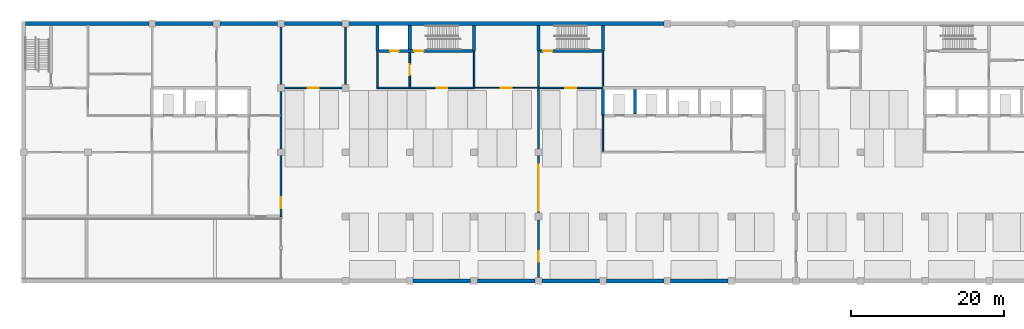
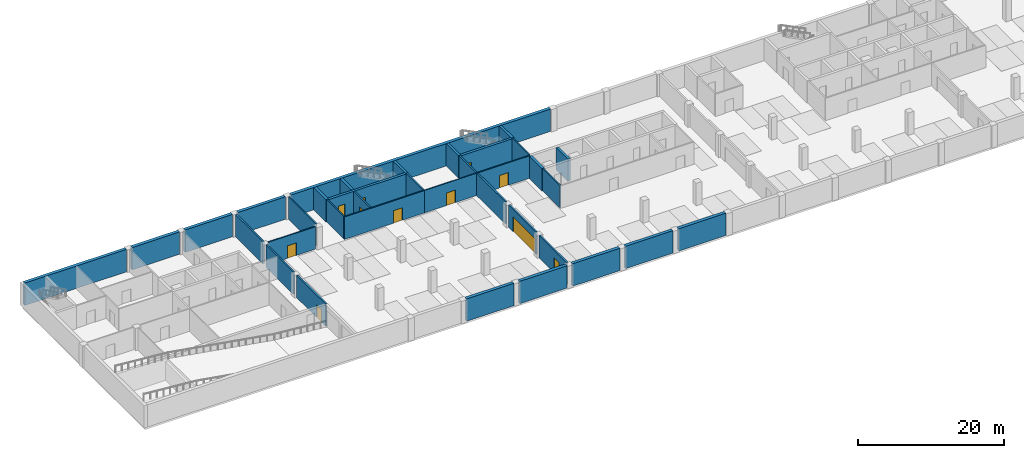
# One storey, part 3 of 14: 36 walls, 11 doors, 11 openings.
"""IFC4 building model written with IfcOpenShell, lengths in metres."""

from ifc_helpers import new_model, si_unit, direction, frame, frame_2d, origin, place, context, subcontext, project, spatial, rectangle, extrude, material, layer, layer_set, type_object, element, fill, save


model = new_model("IFC4")

# Units and contexts
model_context = context("Model", 3, precision=1e-05, world=origin(), true_north=direction((0.0, 1.0)))
body_context = subcontext(model_context, "Body", "Model", "MODEL_VIEW")
ifc_project = project(units=[si_unit("LENGTHUNIT", "METRE"), si_unit("AREAUNIT", "SQUARE_METRE"), si_unit("VOLUMEUNIT", "CUBIC_METRE"), si_unit("PLANEANGLEUNIT", "RADIAN"), si_unit("MASSUNIT", "GRAM", prefix="KILO")], contexts=[model_context])

# Site, building, storey
site_placement = place(None, origin())
site = spatial("IfcSite", under=ifc_project, at=site_placement, CompositionType="ELEMENT")
building_placement = place(site_placement, origin())
building = spatial("IfcBuilding", under=site, at=building_placement, Name="Yavir Park General Hospital", CompositionType="ELEMENT")
storey_placement = place(building_placement, frame((0.0, 0.0, -4.199951171875)))
storey = spatial("IfcBuildingStorey", under=building, at=storey_placement, Name="B1", CompositionType="ELEMENT", Elevation=-4.199951171875)

# Wall, opening, door
ifc_material_1 = material(Name="Concrete C30/37", Category="concrete")
ifc_layer_1 = layer(ifc_material_1, 0.25)
ifc_layer_set_1 = layer_set([ifc_layer_1], Name="Concrete C30/37")
wall_type_1 = type_object("IfcWallType", Name="Compartment fire wall 250, REI 150", PredefinedType="SOLIDWALL", material=ifc_layer_set_1)
wall_1_placement = place(storey_placement, frame((33.60009765625, 8.39990234375, 0.0), z_axis=(0.0, 0.0, 1.0), x_axis=(0.0, 1.0, 0.0)))
wall_1 = element("IfcWall", 1, at=wall_1_placement, inside=storey, type_object=wall_type_1, Name="FW25 B1-047", PredefinedType="SOLIDWALL", context=body_context, shape_type="SweptSolid", body=[
    extrude(rectangle(XDim=7.9501953125, YDim=0.25, at=frame_2d((3.97509765625, 0.0))), origin(), (0.0, 0.0, 1.0), 3.75),
])
opening_1_placement = place(wall_1_placement, frame((1.10009765625, 0.0, 0.0)))
opening_1 = element("IfcOpeningElement", 2, at=opening_1_placement, cuts=wall_1, Name="Opening B1.D048", PredefinedType="OPENING", context=body_context, shape_type="SweptSolid", body=[
    extrude(rectangle(XDim=1.39990234375, YDim=2.10009765625, at=frame_2d((0.699951171875, 1.050048828125))), frame((0.0, 0.135009765625, 0.0), z_axis=(0.0, -1.0, 0.0), x_axis=(1.0, 0.0, 0.0)), (0.0, 0.0, 1.0), 0.27001953125),
])
ifc_material_2 = material(Name="Steel frame, fire-resisting timber leaves", Category="steel")
door_type_1 = type_object("IfcDoorType", Name="Double fire door 1400 x 2100, EI 60", OperationType="DOUBLE_DOOR_SINGLE_SWING", PredefinedType="DOOR", material=ifc_material_2)
door_1_placement = place(opening_1_placement, origin())
door_1 = element("IfcDoor", 3, at=door_1_placement, inside=storey, type_object=door_type_1, Name="B1.D048", OperationType="SINGLE_SWING_LEFT", OverallHeight=2.10009765625, OverallWidth=1.39990234375, PredefinedType="DOOR", context=body_context, shape_type="SweptSolid", body=[
    extrude(rectangle(XDim=1.39990234375, YDim=2.10009765625, at=frame_2d((0.699951171875, 1.050048828125))), frame((0.0, 0.02490234375, 0.0), z_axis=(0.0, -1.0, 0.0), x_axis=(1.0, 0.0, 0.0)), (0.0, 0.0, 1.0), 0.050048828125),
])
fill(opening_1, door_1)

# Walls
for number, where, z_axis, x_axis, name in (
    (4, (33.60009765625, 17.25, 0.0), (0.0, 0.0, 1.0), (0.0, 1.0, 0.0), "FW25 B1-048"),
    (5, (33.60009765625, 25.64990234375, 0.0), (0.0, 0.0, 1.0), (0.0, 1.0, 0.0), "FW25 B1-049"),
):
    element("IfcWall", number, at=place(storey_placement, frame(where, z_axis=z_axis, x_axis=x_axis)), inside=storey, type_object=wall_type_1, Name=name, PredefinedType="SOLIDWALL", context=body_context, shape_type="SweptSolid", body=[
        extrude(rectangle(XDim=7.5, YDim=0.25, at=frame_2d((3.75, 0.0))), origin(), (0.0, 0.0, 1.0), 3.75),
    ])

# Wall, opening, door
wall_2_placement = place(storey_placement, frame((67.199951171875, 0.449951171875, 0.0), z_axis=(0.0, 0.0, 1.0), x_axis=(0.0, 1.0, 0.0)))
wall_2 = element("IfcWall", 6, at=wall_2_placement, inside=storey, type_object=wall_type_1, Name="FW25 B1-057", PredefinedType="SOLIDWALL", context=body_context, shape_type="SweptSolid", body=[
    extrude(rectangle(XDim=7.5, YDim=0.25, at=frame_2d((3.75, 0.0))), origin(), (0.0, 0.0, 1.0), 3.75),
])
opening_2_placement = place(wall_2_placement, frame((2.050048828125, 0.0, 0.0)))
opening_2 = element("IfcOpeningElement", 7, at=opening_2_placement, cuts=wall_2, Name="Opening B1.D050", PredefinedType="OPENING", context=body_context, shape_type="SweptSolid", body=[
    extrude(rectangle(XDim=1.39990234375, YDim=2.5, at=frame_2d((0.699951171875, 1.25))), frame((0.0, 0.135009765625, 0.0), z_axis=(0.0, -1.0, 0.0), x_axis=(1.0, 0.0, 0.0)), (0.0, 0.0, 1.0), 0.27001953125),
])
ifc_material_3 = material(Name="Steel frame, fire-resisting timber leaves", Category="steel")
door_type_2 = type_object("IfcDoorType", Name="Double fire door 1400 x 2500, EI 60", OperationType="DOUBLE_DOOR_SINGLE_SWING", PredefinedType="DOOR", material=ifc_material_3)
door_2_placement = place(opening_2_placement, origin())
door_2 = element("IfcDoor", 8, at=door_2_placement, inside=storey, type_object=door_type_2, Name="B1.D050", OperationType="SINGLE_SWING_RIGHT", OverallHeight=2.5, OverallWidth=1.39990234375, PredefinedType="DOOR", context=body_context, shape_type="SweptSolid", body=[
    extrude(rectangle(XDim=1.39990234375, YDim=2.5, at=frame_2d((0.699951171875, 1.25))), frame((0.0, 0.02490234375, 0.0), z_axis=(0.0, -1.0, 0.0), x_axis=(1.0, 0.0, 0.0)), (0.0, 0.0, 1.0), 0.050048828125),
])
fill(opening_2, door_2)

wall_3_placement = place(storey_placement, frame((67.199951171875, 8.85009765625, 0.0), z_axis=(0.0, 0.0, 1.0), x_axis=(0.0, 1.0, 0.0)))
wall_3 = element("IfcWall", 9, at=wall_3_placement, inside=storey, type_object=wall_type_1, Name="FW25 B1-058", PredefinedType="SOLIDWALL", context=body_context, shape_type="SweptSolid", body=[
    extrude(rectangle(XDim=7.5, YDim=0.25, at=frame_2d((3.75, 0.0))), origin(), (0.0, 0.0, 1.0), 3.75),
])
opening_3_placement = place(wall_3_placement, frame((0.300048828125, 0.0, 0.0)))
opening_3 = element("IfcOpeningElement", 10, at=opening_3_placement, cuts=wall_3, Name="Opening B1.D051", PredefinedType="OPENING", context=body_context, shape_type="SweptSolid", body=[
    extrude(rectangle(XDim=6.0, YDim=2.5, at=frame_2d((3.0, 1.25))), frame((0.0, 0.135009765625, 0.0), z_axis=(0.0, -1.0, 0.0), x_axis=(1.0, 0.0, 0.0)), (0.0, 0.0, 1.0), 0.27001953125),
])
ifc_material_4 = material(Name="Steel slat fire shutter", Category="steel")
door_type_3 = type_object("IfcDoorType", Name="Fire shutter, vehicle opening 6000 x 2500, EI 60", OperationType="ROLLINGUP", PredefinedType="GATE", material=ifc_material_4)
door_3_placement = place(opening_3_placement, origin())
door_3 = element("IfcDoor", 11, at=door_3_placement, inside=storey, type_object=door_type_3, Name="B1.D051", OperationType="ROLLINGUP", OverallHeight=2.5, OverallWidth=6.0, PredefinedType="GATE", context=body_context, shape_type="SweptSolid", body=[
    extrude(rectangle(XDim=6.0, YDim=2.5, at=frame_2d((3.0, 1.25))), frame((0.0, 0.02490234375, 0.0), z_axis=(0.0, -1.0, 0.0), x_axis=(1.0, 0.0, 0.0)), (0.0, 0.0, 1.0), 0.050048828125),
])
fill(opening_3, door_3)

# Walls
wall_4_placement = place(storey_placement, frame((67.199951171875, 17.25, 0.0), z_axis=(0.0, 0.0, 1.0), x_axis=(0.0, 1.0, 0.0)))
element("IfcWall", 12, at=wall_4_placement, inside=storey, type_object=wall_type_1, Name="FW25 B1-059", PredefinedType="SOLIDWALL", context=body_context, shape_type="SweptSolid", body=[
    extrude(rectangle(XDim=7.85009765625, YDim=0.25, at=frame_2d((3.925048828125, 0.0))), origin(), (0.0, 0.0, 1.0), 3.75),
])
wall_5_placement = place(storey_placement, frame((67.199951171875, 25.300048828125, 0.0), z_axis=(0.0, 0.0, 1.0), x_axis=(0.0, 1.0, 0.0)))
element("IfcWall", 13, at=wall_5_placement, inside=storey, type_object=wall_type_1, Name="FW25 B1-060", PredefinedType="SOLIDWALL", context=body_context, shape_type="SweptSolid", body=[
    extrude(rectangle(XDim=4.699951171875, YDim=0.25, at=frame_2d((2.35009765625, 0.0))), origin(), (0.0, 0.0, 1.0), 3.75),
])

# Wall, opening, door
ifc_material_5 = material(Name="Double gypsum board fire partition on steel studs", Category="steel")
ifc_layer_2 = layer(ifc_material_5, 0.199951171875)
ifc_layer_set_2 = layer_set([ifc_layer_2], Name="Double gypsum board fire partition on steel studs")
wall_type_2 = type_object("IfcWallType", Name="Fire-rated partition 200, EI 60", PredefinedType="PARTITIONING", material=ifc_layer_set_2)
wall_6_placement = place(storey_placement, frame((34.050048828125, 25.199951171875, 0.0), z_axis=(0.0, 0.0, 1.0), x_axis=(1.0, 0.0, 0.0)))
wall_6 = element("IfcWall", 14, at=wall_6_placement, inside=storey, type_object=wall_type_2, Name="FP20 B1-015", PredefinedType="PARTITIONING", context=body_context, shape_type="SweptSolid", body=[
    extrude(rectangle(XDim=7.5, YDim=0.199951171875, at=frame_2d((3.75, 0.0))), origin(), (0.0, 0.0, 1.0), 3.75),
])
opening_4_placement = place(wall_6_placement, frame((3.050048828125, 0.0, 0.0)))
opening_4 = element("IfcOpeningElement", 15, at=opening_4_placement, cuts=wall_6, Name="Opening B1.D024", PredefinedType="OPENING", context=body_context, shape_type="SweptSolid", body=[
    extrude(rectangle(XDim=1.39990234375, YDim=2.10009765625, at=frame_2d((0.699951171875, 1.050048828125))), frame((0.0, 0.10986328125, 0.0), z_axis=(0.0, -1.0, 0.0), x_axis=(1.0, 0.0, 0.0)), (0.0, 0.0, 1.0), 0.219970703125),
])
door_4_placement = place(opening_4_placement, origin())
door_4 = element("IfcDoor", 16, at=door_4_placement, inside=storey, type_object=door_type_1, Name="B1.D024", OperationType="SINGLE_SWING_RIGHT", OverallHeight=2.10009765625, OverallWidth=1.39990234375, PredefinedType="DOOR", context=body_context, shape_type="SweptSolid", body=[
    extrude(rectangle(XDim=1.39990234375, YDim=2.10009765625, at=frame_2d((0.699951171875, 1.050048828125))), frame((0.0, 0.02490234375, 0.0), z_axis=(0.0, -1.0, 0.0), x_axis=(1.0, 0.0, 0.0)), (0.0, 0.0, 1.0), 0.050048828125),
])
fill(opening_4, door_4)

wall_7_placement = place(storey_placement, frame((46.10009765625, 25.199951171875, 0.0), z_axis=(0.0, 0.0, 1.0), x_axis=(1.0, 0.0, 0.0)))
wall_7 = element("IfcWall", 17, at=wall_7_placement, inside=storey, type_object=wall_type_2, Name="FP20 B1-016", PredefinedType="PARTITIONING", context=body_context, shape_type="SweptSolid", body=[
    extrude(rectangle(XDim=12.699951171875, YDim=0.199951171875, at=frame_2d((6.35009765625, 0.0))), origin(), (0.0, 0.0, 1.0), 3.75),
])
opening_5_placement = place(wall_7_placement, frame((7.800048828125, 0.0, 0.0)))
opening_5 = element("IfcOpeningElement", 18, at=opening_5_placement, cuts=wall_7, Name="Opening B1.D025", PredefinedType="OPENING", context=body_context, shape_type="SweptSolid", body=[
    extrude(rectangle(XDim=1.39990234375, YDim=2.10009765625, at=frame_2d((0.699951171875, 1.050048828125))), frame((0.0, 0.10986328125, 0.0), z_axis=(0.0, -1.0, 0.0), x_axis=(1.0, 0.0, 0.0)), (0.0, 0.0, 1.0), 0.219970703125),
])
door_5_placement = place(opening_5_placement, origin())
door_5 = element("IfcDoor", 19, at=door_5_placement, inside=storey, type_object=door_type_1, Name="B1.D025", OperationType="SINGLE_SWING_LEFT", OverallHeight=2.10009765625, OverallWidth=1.39990234375, PredefinedType="DOOR", context=body_context, shape_type="SweptSolid", body=[
    extrude(rectangle(XDim=1.39990234375, YDim=2.10009765625, at=frame_2d((0.699951171875, 1.050048828125))), frame((0.0, 0.02490234375, 0.0), z_axis=(0.0, -1.0, 0.0), x_axis=(1.0, 0.0, 0.0)), (0.0, 0.0, 1.0), 0.050048828125),
])
fill(opening_5, door_5)

wall_8_placement = place(storey_placement, frame((67.199951171875, 25.199951171875, 0.0), z_axis=(0.0, 0.0, 1.0), x_axis=(1.0, 0.0, 0.0)))
wall_8 = element("IfcWall", 20, at=wall_8_placement, inside=storey, type_object=wall_type_2, Name="FP20 B1-018", PredefinedType="PARTITIONING", context=body_context, shape_type="SweptSolid", body=[
    extrude(rectangle(XDim=8.400146484375, YDim=0.199951171875, at=frame_2d((4.2001953125, 0.0))), origin(), (0.0, 0.0, 1.0), 3.75),
])
opening_6_placement = place(wall_8_placement, frame((3.5, 0.0, 0.0)))
opening_6 = element("IfcOpeningElement", 21, at=opening_6_placement, cuts=wall_8, Name="Opening B1.D027", PredefinedType="OPENING", context=body_context, shape_type="SweptSolid", body=[
    extrude(rectangle(XDim=1.39990234375, YDim=2.10009765625, at=frame_2d((0.699951171875, 1.050048828125))), frame((0.0, 0.10986328125, 0.0), z_axis=(0.0, -1.0, 0.0), x_axis=(1.0, 0.0, 0.0)), (0.0, 0.0, 1.0), 0.219970703125),
])
door_6_placement = place(opening_6_placement, origin())
door_6 = element("IfcDoor", 22, at=door_6_placement, inside=storey, type_object=door_type_1, Name="B1.D027", OperationType="SINGLE_SWING_LEFT", OverallHeight=2.10009765625, OverallWidth=1.39990234375, PredefinedType="DOOR", context=body_context, shape_type="SweptSolid", body=[
    extrude(rectangle(XDim=1.39990234375, YDim=2.10009765625, at=frame_2d((0.699951171875, 1.050048828125))), frame((0.0, 0.02490234375, 0.0), z_axis=(0.0, -1.0, 0.0), x_axis=(1.0, 0.0, 0.0)), (0.0, 0.0, 1.0), 0.050048828125),
])
fill(opening_6, door_6)

# Walls
wall_9_placement = place(storey_placement, frame((42.0, 25.64990234375, 0.0), z_axis=(0.0, 0.0, 1.0), x_axis=(0.0, 1.0, 0.0)))
element("IfcWall", 23, at=wall_9_placement, inside=storey, type_object=wall_type_2, Name="FP20 B1-050", PredefinedType="PARTITIONING", context=body_context, shape_type="SweptSolid", body=[
    extrude(rectangle(XDim=7.5, YDim=0.199951171875, at=frame_2d((3.75, 0.0))), origin(), (0.0, 0.0, 1.0), 3.75),
])
wall_10_placement = place(storey_placement, frame((46.199951171875, 25.300048828125, 0.0), z_axis=(0.0, 0.0, 1.0), x_axis=(0.0, 1.0, 0.0)))
element("IfcWall", 24, at=wall_10_placement, inside=storey, type_object=wall_type_2, Name="FP20 B1-051", PredefinedType="PARTITIONING", context=body_context, shape_type="SweptSolid", body=[
    extrude(rectangle(XDim=4.699951171875, YDim=0.199951171875, at=frame_2d((2.35009765625, 0.0))), origin(), (0.0, 0.0, 1.0), 3.75),
])

# Wall, opening, door
wall_11_placement = place(storey_placement, frame((50.39990234375, 25.300048828125, 0.0), z_axis=(0.0, 0.0, 1.0), x_axis=(0.0, 1.0, 0.0)))
wall_11 = element("IfcWall", 25, at=wall_11_placement, inside=storey, type_object=wall_type_2, Name="FP20 B1-053", PredefinedType="PARTITIONING", context=body_context, shape_type="SweptSolid", body=[
    extrude(rectangle(XDim=4.5, YDim=0.199951171875, at=frame_2d((2.25, 0.0))), origin(), (0.0, 0.0, 1.0), 3.75),
])
opening_7_placement = place(wall_11_placement, frame((1.550048828125, 0.0, 0.0)))
opening_7 = element("IfcOpeningElement", 26, at=opening_7_placement, cuts=wall_11, Name="Opening B1.D049", PredefinedType="OPENING", context=body_context, shape_type="SweptSolid", body=[
    extrude(rectangle(XDim=1.39990234375, YDim=2.10009765625, at=frame_2d((0.699951171875, 1.050048828125))), frame((0.0, 0.10986328125, 0.0), z_axis=(0.0, -1.0, 0.0), x_axis=(1.0, 0.0, 0.0)), (0.0, 0.0, 1.0), 0.219970703125),
])
door_7_placement = place(opening_7_placement, origin())
door_7 = element("IfcDoor", 27, at=door_7_placement, inside=storey, type_object=door_type_1, Name="B1.D049", OperationType="SINGLE_SWING_LEFT", OverallHeight=2.10009765625, OverallWidth=1.39990234375, PredefinedType="DOOR", context=body_context, shape_type="SweptSolid", body=[
    extrude(rectangle(XDim=1.39990234375, YDim=2.10009765625, at=frame_2d((0.699951171875, 1.050048828125))), frame((0.0, 0.02490234375, 0.0), z_axis=(0.0, -1.0, 0.0), x_axis=(1.0, 0.0, 0.0)), (0.0, 0.0, 1.0), 0.050048828125),
])
fill(opening_7, door_7)

# Walls
wall_12_placement = place(storey_placement, frame((58.800048828125, 25.300048828125, 0.0), z_axis=(0.0, 0.0, 1.0), x_axis=(0.0, 1.0, 0.0)))
element("IfcWall", 28, at=wall_12_placement, inside=storey, type_object=wall_type_2, Name="FP20 B1-055", PredefinedType="PARTITIONING", context=body_context, shape_type="SweptSolid", body=[
    extrude(rectangle(XDim=4.699951171875, YDim=0.199951171875, at=frame_2d((2.35009765625, 0.0))), origin(), (0.0, 0.0, 1.0), 3.75),
])
wall_13_placement = place(storey_placement, frame((75.60009765625, 16.89990234375, 0.0), z_axis=(0.0, 0.0, 1.0), x_axis=(0.0, 1.0, 0.0)))
element("IfcWall", 29, at=wall_13_placement, inside=storey, type_object=wall_type_2, Name="FP20 B1-062", PredefinedType="PARTITIONING", context=body_context, shape_type="SweptSolid", body=[
    extrude(rectangle(XDim=4.7001953125, YDim=0.199951171875, at=frame_2d((2.35009765625, 0.0))), origin(), (0.0, 0.0, 1.0), 3.75),
])
wall_14_placement = place(storey_placement, frame((75.60009765625, 25.39990234375, 0.0), z_axis=(0.0, 0.0, 1.0), x_axis=(0.0, 1.0, 0.0)))
element("IfcWall", 30, at=wall_14_placement, inside=storey, type_object=wall_type_2, Name="FP20 B1-064", PredefinedType="PARTITIONING", context=body_context, shape_type="SweptSolid", body=[
    extrude(rectangle(XDim=4.60009765625, YDim=0.199951171875, at=frame_2d((2.300048828125, 0.0))), origin(), (0.0, 0.0, 1.0), 3.75),
])

# Wall, opening, door
ifc_material_6 = material(Name="Gypsum board partition on steel studs", Category="steel")
ifc_layer_3 = layer(ifc_material_6, 0.14990234375)
ifc_layer_set_3 = layer_set([ifc_layer_3], Name="Gypsum board partition on steel studs")
wall_type_3 = type_object("IfcWallType", Name="Gypsum board partition 150", PredefinedType="PARTITIONING", material=ifc_layer_set_3)
wall_15_placement = place(storey_placement, frame((58.800048828125, 25.199951171875, 0.0), z_axis=(0.0, 0.0, 1.0), x_axis=(1.0, 0.0, 0.0)))
wall_15 = element("IfcWall", 31, at=wall_15_placement, inside=storey, type_object=wall_type_3, Name="P15 B1-017", PredefinedType="PARTITIONING", context=body_context, shape_type="SweptSolid", body=[
    extrude(rectangle(XDim=8.39990234375, YDim=0.14990234375, at=frame_2d((4.199951171875, 0.0))), origin(), (0.0, 0.0, 1.0), 3.75),
])
opening_8_placement = place(wall_15_placement, frame((3.5, 0.0, 0.0)))
opening_8 = element("IfcOpeningElement", 32, at=opening_8_placement, cuts=wall_15, Name="Opening B1.D026", PredefinedType="OPENING", context=body_context, shape_type="SweptSolid", body=[
    extrude(rectangle(XDim=1.39990234375, YDim=2.10009765625, at=frame_2d((0.699951171875, 1.050048828125))), frame((0.0, 0.0849609375, 0.0), z_axis=(0.0, -1.0, 0.0), x_axis=(1.0, 0.0, 0.0)), (0.0, 0.0, 1.0), 0.169921875),
])
ifc_material_7 = material(Name="Hollow metal frame, solid-core timber leaf", Category="wood")
door_type_4 = type_object("IfcDoorType", Name="Double swing door 1400 x 2100", OperationType="DOUBLE_DOOR_SINGLE_SWING", PredefinedType="DOOR", material=ifc_material_7)
door_8_placement = place(opening_8_placement, origin())
door_8 = element("IfcDoor", 33, at=door_8_placement, inside=storey, type_object=door_type_4, Name="B1.D026", OperationType="SINGLE_SWING_RIGHT", OverallHeight=2.10009765625, OverallWidth=1.39990234375, PredefinedType="DOOR", context=body_context, shape_type="SweptSolid", body=[
    extrude(rectangle(XDim=1.39990234375, YDim=2.10009765625, at=frame_2d((0.699951171875, 1.050048828125))), frame((0.0, 0.02490234375, 0.0), z_axis=(0.0, -1.0, 0.0), x_axis=(1.0, 0.0, 0.0)), (0.0, 0.0, 1.0), 0.050048828125),
])
fill(opening_8, door_8)

# Walls
ifc_material_8 = material(Name="Concrete C35/45", Category="concrete")
ifc_layer_4 = layer(ifc_material_8, 0.5)
ifc_layer_set_4 = layer_set([ifc_layer_4], Name="Concrete C35/45")
wall_type_4 = type_object("IfcWallType", Name="RC WALL RETAINING 500", PredefinedType="SOLIDWALL", material=ifc_layer_set_4)
for number, where, z_axis, x_axis, name in (
    (34, (50.85009765625, 0.0, 0.0), (0.0, 0.0, 1.0), (1.0, 0.0, 0.0), "W:RET:B1:S2"),
    (35, (59.25, 0.0, 0.0), (0.0, 0.0, 1.0), (1.0, 0.0, 0.0), "W:RET:B1:S3"),
    (36, (67.64990234375, 0.0, 0.0), (0.0, 0.0, 1.0), (1.0, 0.0, 0.0), "W:RET:B1:S4"),
    (37, (76.050048828125, 0.0, 0.0), (0.0, 0.0, 1.0), (1.0, 0.0, 0.0), "W:RET:B1:S5"),
    (38, (84.449951171875, 0.0, 0.0), (0.0, 0.0, 1.0), (1.0, 0.0, 0.0), "W:RET:B1:S6"),
):
    element("IfcWall", number, at=place(storey_placement, frame(where, z_axis=z_axis, x_axis=x_axis)), inside=storey, type_object=wall_type_4, Name=name, PredefinedType="SOLIDWALL", context=body_context, shape_type="SweptSolid", body=[
        extrude(rectangle(XDim=7.5, YDim=0.5, at=frame_2d((3.75, 0.0))), origin(), (0.0, 0.0, 1.0), 3.75),
    ])
wall_16_placement = place(storey_placement, frame((0.25, 33.60009765625, 0.0), z_axis=(0.0, 0.0, 1.0), x_axis=(1.0, 0.0, 0.0)))
element("IfcWall", 39, at=wall_16_placement, inside=storey, type_object=wall_type_4, Name="W:RET:B1:N16", PredefinedType="SOLIDWALL", context=body_context, shape_type="SweptSolid", body=[
    extrude(rectangle(XDim=16.10009765625, YDim=0.5, at=frame_2d((8.050048828125, 0.0))), origin(), (0.0, 0.0, 1.0), 3.75),
])
for number, where, z_axis, x_axis, name in (
    (40, (17.25, 33.60009765625, 0.0), (0.0, 0.0, 1.0), (1.0, 0.0, 0.0), "W:RET:B1:N17"),
    (41, (25.64990234375, 33.60009765625, 0.0), (0.0, 0.0, 1.0), (1.0, 0.0, 0.0), "W:RET:B1:N18"),
    (42, (34.050048828125, 33.60009765625, 0.0), (0.0, 0.0, 1.0), (1.0, 0.0, 0.0), "W:RET:B1:N19"),
):
    element("IfcWall", number, at=place(storey_placement, frame(where, z_axis=z_axis, x_axis=x_axis)), inside=storey, type_object=wall_type_4, Name=name, PredefinedType="SOLIDWALL", context=body_context, shape_type="SweptSolid", body=[
        extrude(rectangle(XDim=7.5, YDim=0.5, at=frame_2d((3.75, 0.0))), origin(), (0.0, 0.0, 1.0), 3.75),
    ])
wall_17_placement = place(storey_placement, frame((42.449951171875, 33.60009765625, 0.0), z_axis=(0.0, 0.0, 1.0), x_axis=(1.0, 0.0, 0.0)))
element("IfcWall", 43, at=wall_17_placement, inside=storey, type_object=wall_type_4, Name="W:RET:B1:N20", PredefinedType="SOLIDWALL", context=body_context, shape_type="SweptSolid", body=[
    extrude(rectangle(XDim=41.10009765625, YDim=0.5, at=frame_2d((20.550048828125, 0.0))), origin(), (0.0, 0.0, 1.0), 3.75),
])

# Wall, openings, doors
ifc_material_9 = material(Name="Concrete C35/45", Category="concrete")
ifc_layer_5 = layer(ifc_material_9, 0.39990234375)
ifc_layer_set_5 = layer_set([ifc_layer_5], Name="Concrete C35/45")
wall_type_5 = type_object("IfcWallType", Name="Reinforced concrete core wall 400, REI 150", PredefinedType="SHEAR", material=ifc_layer_set_5)
wall_18_placement = place(storey_placement, frame((46.39990234375, 30.0, 0.0), z_axis=(0.0, 0.0, 1.0), x_axis=(1.0, 0.0, 0.0)))
wall_18 = element("IfcWall", 44, at=wall_18_placement, inside=storey, type_object=wall_type_5, Name="CW40 B1-026", PredefinedType="SHEAR", context=body_context, shape_type="SweptSolid", body=[
    extrude(rectangle(XDim=12.2001953125, YDim=0.39990234375, at=frame_2d((6.10009765625, 0.0))), origin(), (0.0, 0.0, 1.0), 3.75),
])
opening_9_placement = place(wall_18_placement, frame((1.449951171875, 0.0, 0.0)))
opening_9 = element("IfcOpeningElement", 45, at=opening_9_placement, cuts=wall_18, Name="Opening B1.D033", PredefinedType="OPENING", context=body_context, shape_type="SweptSolid", body=[
    extrude(rectangle(XDim=1.10009765625, YDim=2.10009765625, at=frame_2d((0.550048828125, 1.050048828125))), frame((0.0, 0.2099609375, 0.0), z_axis=(0.0, -1.0, 0.0), x_axis=(1.0, 0.0, 0.0)), (0.0, 0.0, 1.0), 0.419921875),
])
opening_10_placement = place(wall_18_placement, frame((4.60009765625, 0.0, 0.0)))
opening_10 = element("IfcOpeningElement", 46, at=opening_10_placement, cuts=wall_18, Name="Opening B1.D034", PredefinedType="OPENING", context=body_context, shape_type="SweptSolid", body=[
    extrude(rectangle(XDim=1.199951171875, YDim=2.10009765625, at=frame_2d((0.60009765625, 1.050048828125))), frame((0.0, 0.2099609375, 0.0), z_axis=(0.0, -1.0, 0.0), x_axis=(1.0, 0.0, 0.0)), (0.0, 0.0, 1.0), 0.419921875),
])
ifc_material_10 = material(Name="Steel frame, fire-resisting timber leaf", Category="steel")
door_type_5 = type_object("IfcDoorType", Name="Fire door 1200 x 2100, EI 60", OperationType="SINGLE_SWING_LEFT", PredefinedType="DOOR", material=ifc_material_10)
door_9_placement = place(opening_10_placement, origin())
door_9 = element("IfcDoor", 47, at=door_9_placement, inside=storey, type_object=door_type_5, Name="B1.D034", OperationType="SINGLE_SWING_RIGHT", OverallHeight=2.10009765625, OverallWidth=1.199951171875, PredefinedType="DOOR", context=body_context, shape_type="SweptSolid", body=[
    extrude(rectangle(XDim=1.199951171875, YDim=2.10009765625, at=frame_2d((0.60009765625, 1.050048828125))), frame((0.0, 0.02490234375, 0.0), z_axis=(0.0, -1.0, 0.0), x_axis=(1.0, 0.0, 0.0)), (0.0, 0.0, 1.0), 0.050048828125),
])
fill(opening_10, door_9)
ifc_material_11 = material(Name="Stainless steel landing door panels", Category="steel")
door_type_6 = type_object("IfcDoorType", Name="Lift landing door 1100 x 2100, EI 60", OperationType="SLIDING_TO_LEFT", PredefinedType="DOOR", material=ifc_material_11)
door_10_placement = place(opening_9_placement, origin())
door_10 = element("IfcDoor", 48, at=door_10_placement, inside=storey, type_object=door_type_6, Name="B1.D033", OperationType="SLIDING_TO_LEFT", OverallHeight=2.10009765625, OverallWidth=1.10009765625, PredefinedType="DOOR", context=body_context, shape_type="SweptSolid", body=[
    extrude(rectangle(XDim=1.10009765625, YDim=2.10009765625, at=frame_2d((0.550048828125, 1.050048828125))), frame((0.0, 0.02490234375, 0.0), z_axis=(0.0, -1.0, 0.0), x_axis=(1.0, 0.0, 0.0)), (0.0, 0.0, 1.0), 0.050048828125),
])
fill(opening_9, door_10)

# Wall, opening, door
wall_19_placement = place(storey_placement, frame((67.39990234375, 30.0, 0.0), z_axis=(0.0, 0.0, 1.0), x_axis=(1.0, 0.0, 0.0)))
wall_19 = element("IfcWall", 49, at=wall_19_placement, inside=storey, type_object=wall_type_5, Name="CW40 B1-027", PredefinedType="SHEAR", context=body_context, shape_type="SweptSolid", body=[
    extrude(rectangle(XDim=8.0, YDim=0.39990234375, at=frame_2d((4.0, 0.0))), origin(), (0.0, 0.0, 1.0), 3.75),
])
opening_11_placement = place(wall_19_placement, frame((0.39990234375, 0.0, 0.0)))
opening_11 = element("IfcOpeningElement", 50, at=opening_11_placement, cuts=wall_19, Name="Opening B1.D035", PredefinedType="OPENING", context=body_context, shape_type="SweptSolid", body=[
    extrude(rectangle(XDim=1.199951171875, YDim=2.10009765625, at=frame_2d((0.60009765625, 1.050048828125))), frame((0.0, 0.2099609375, 0.0), z_axis=(0.0, -1.0, 0.0), x_axis=(1.0, 0.0, 0.0)), (0.0, 0.0, 1.0), 0.419921875),
])
door_11_placement = place(opening_11_placement, origin())
door_11 = element("IfcDoor", 51, at=door_11_placement, inside=storey, type_object=door_type_5, Name="B1.D035", OperationType="SINGLE_SWING_RIGHT", OverallHeight=2.10009765625, OverallWidth=1.199951171875, PredefinedType="DOOR", context=body_context, shape_type="SweptSolid", body=[
    extrude(rectangle(XDim=1.199951171875, YDim=2.10009765625, at=frame_2d((0.60009765625, 1.050048828125))), frame((0.0, 0.02490234375, 0.0), z_axis=(0.0, -1.0, 0.0), x_axis=(1.0, 0.0, 0.0)), (0.0, 0.0, 1.0), 0.050048828125),
])
fill(opening_11, door_11)

# Walls
wall_20_placement = place(storey_placement, frame((46.199951171875, 30.0, 0.0), z_axis=(0.0, 0.0, 1.0), x_axis=(0.0, 1.0, 0.0)))
element("IfcWall", 52, at=wall_20_placement, inside=storey, type_object=wall_type_5, Name="CW40 B1-052", PredefinedType="SHEAR", context=body_context, shape_type="SweptSolid", body=[
    extrude(rectangle(XDim=3.35009765625, YDim=0.39990234375, at=frame_2d((1.675048828125, 0.0))), origin(), (0.0, 0.0, 1.0), 3.75),
])
wall_21_placement = place(storey_placement, frame((50.39990234375, 30.199951171875, 0.0), z_axis=(0.0, 0.0, 1.0), x_axis=(0.0, 1.0, 0.0)))
element("IfcWall", 53, at=wall_21_placement, inside=storey, type_object=wall_type_5, Name="CW40 B1-054", PredefinedType="SHEAR", context=body_context, shape_type="SweptSolid", body=[
    extrude(rectangle(XDim=3.150146484375, YDim=0.39990234375, at=frame_2d((1.5751953125, 0.0))), origin(), (0.0, 0.0, 1.0), 3.75),
])
for number, where, z_axis, x_axis, name in (
    (54, (58.800048828125, 30.0, 0.0), (0.0, 0.0, 1.0), (0.0, 1.0, 0.0), "CW40 B1-056"),
    (55, (67.199951171875, 30.0, 0.0), (0.0, 0.0, 1.0), (0.0, 1.0, 0.0), "CW40 B1-061"),
):
    element("IfcWall", number, at=place(storey_placement, frame(where, z_axis=z_axis, x_axis=x_axis)), inside=storey, type_object=wall_type_5, Name=name, PredefinedType="SHEAR", context=body_context, shape_type="SweptSolid", body=[
        extrude(rectangle(XDim=3.35009765625, YDim=0.39990234375, at=frame_2d((1.675048828125, 0.0))), origin(), (0.0, 0.0, 1.0), 3.75),
    ])
wall_22_placement = place(storey_placement, frame((75.60009765625, 21.60009765625, 0.0), z_axis=(0.0, 0.0, 1.0), x_axis=(0.0, 1.0, 0.0)))
element("IfcWall", 56, at=wall_22_placement, inside=storey, type_object=wall_type_5, Name="CW40 B1-063", PredefinedType="SHEAR", context=body_context, shape_type="SweptSolid", body=[
    extrude(rectangle(XDim=3.39990234375, YDim=0.39990234375, at=frame_2d((1.699951171875, 0.0))), origin(), (0.0, 0.0, 1.0), 3.75),
])
wall_23_placement = place(storey_placement, frame((75.60009765625, 30.0, 0.0), z_axis=(0.0, 0.0, 1.0), x_axis=(0.0, 1.0, 0.0)))
element("IfcWall", 57, at=wall_23_placement, inside=storey, type_object=wall_type_5, Name="CW40 B1-065", PredefinedType="SHEAR", context=body_context, shape_type="SweptSolid", body=[
    extrude(rectangle(XDim=3.35009765625, YDim=0.39990234375, at=frame_2d((1.675048828125, 0.0))), origin(), (0.0, 0.0, 1.0), 3.75),
])
wall_24_placement = place(storey_placement, frame((79.800048828125, 21.800048828125, 0.0), z_axis=(0.0, 0.0, 1.0), x_axis=(0.0, 1.0, 0.0)))
element("IfcWall", 58, at=wall_24_placement, inside=storey, type_object=wall_type_5, Name="CW40 B1-066", PredefinedType="SHEAR", context=body_context, shape_type="SweptSolid", body=[
    extrude(rectangle(XDim=3.199951171875, YDim=0.39990234375, at=frame_2d((1.60009765625, 0.0))), origin(), (0.0, 0.0, 1.0), 3.75),
])

save(model, "model.ifc")
